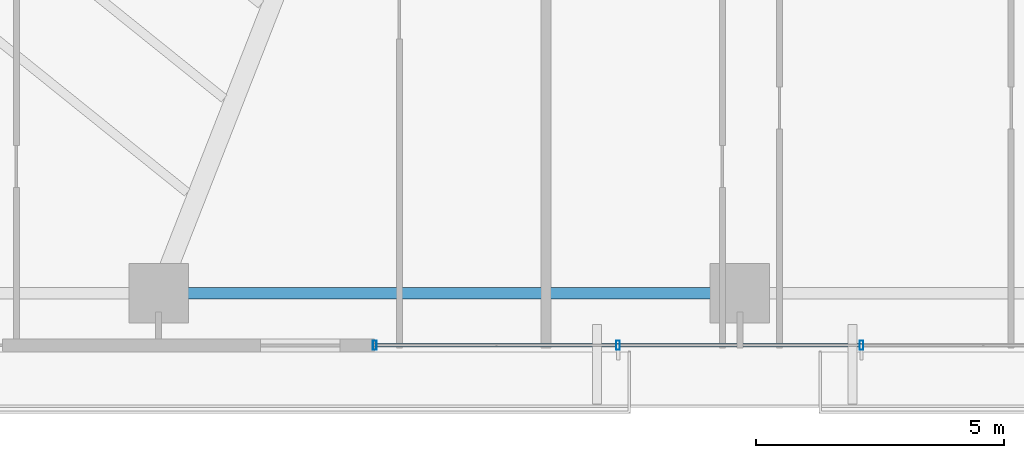
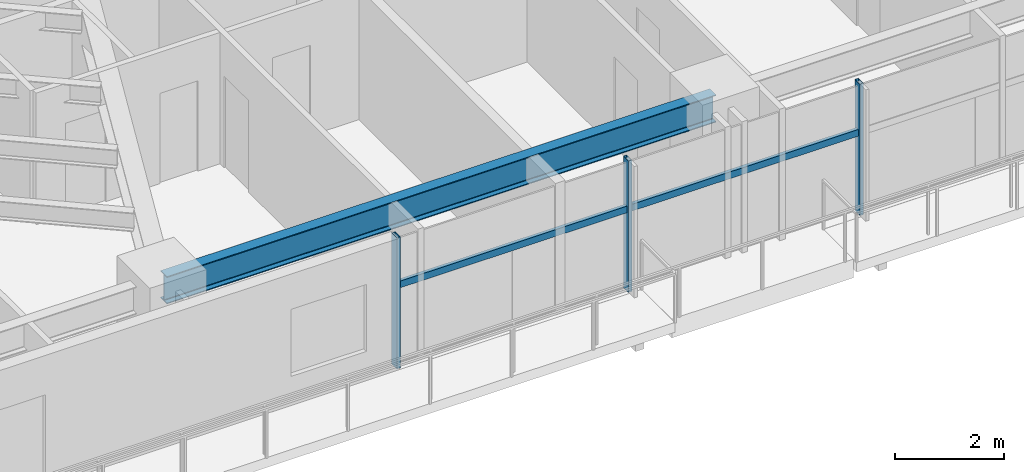
# One storey, part 6 of 26: 5 members, 1 beam, 1 element without a shape of its own.
"""IFC4 building model written with IfcOpenShell, lengths in metres."""

import ifcopenshell
import ifcopenshell.guid

model = None  # the IFC model being written
_history = None  # IfcOwnerHistory: only IFC2X3 demands one
_inside = {}  # id of a spatial element -> (the spatial element, [elements in it])
_under = {}  # id of a project, library or spatial element -> (it, [spatial elements below it])
_declared = {}  # id of a project -> (the project, [libraries it declares])
_typed = {}  # id of a type object -> (the type object, [elements of that type])
_made_of = {}  # id of a material, layer set ... -> (it, [elements and type objects made of it])


def new_model(schema):
    """Start an empty IFC model of exactly this schema.

    Asked for "IFC4X3", IfcOpenShell would pick the latest addendum, in which some entities
    have other attributes; the version numbers below select the first issue.
    IFC2X3 requires an IfcOwnerHistory on every rooted entity: one is made here for all.
    """
    global model, _history
    if schema == "IFC4X3":
        model = ifcopenshell.file(schema_version=(4, 3, 0, 0))
    else:
        model = ifcopenshell.file(schema=schema)
    _inside.clear()
    _under.clear()
    _declared.clear()
    _typed.clear()
    _made_of.clear()
    _history = None
    if model.schema == "IFC2X3":
        org = make("IfcOrganization", Name="unknown")
        user = make(
            "IfcPersonAndOrganization",
            ThePerson=make("IfcPerson", FamilyName="unknown"),
            TheOrganization=org,
        )
        app = make(
            "IfcApplication",
            ApplicationDeveloper=org,
            Version="unknown",
            ApplicationFullName="unknown",
            ApplicationIdentifier="unknown",
        )
        _history = make(
            "IfcOwnerHistory",
            OwningUser=user,
            OwningApplication=app,
            ChangeAction="ADDED",
            CreationDate=0,
        )
    return model


def make(cls, **values):
    """One entity of the class cls with the attributes given. An attribute that is None is left unset."""
    return model.create_entity(
        cls, **{name: value for name, value in values.items() if value is not None}
    )


def rooted(cls, **values):
    """An entity with a GlobalId (a new one), such as an element, a storey or a relation."""
    return make(cls, GlobalId=ifcopenshell.guid.new(), OwnerHistory=_history, **values)


def si_unit(unit_type, name, prefix=None):
    """IfcSIUnit, for example si_unit("LENGTHUNIT", "METRE", prefix="MILLI")."""
    return make("IfcSIUnit", UnitType=unit_type, Prefix=prefix, Name=name)


def assignment(units):
    """IfcUnitAssignment: the units of a project."""
    return None if units is None else make("IfcUnitAssignment", Units=units)


def point(xyz):
    """IfcCartesianPoint."""
    return None if xyz is None else make("IfcCartesianPoint", Coordinates=xyz)


def direction(xyz):
    """IfcDirection."""
    return None if xyz is None else make("IfcDirection", DirectionRatios=xyz)


def frame(location, z_axis=None, x_axis=None):
    """IfcAxis2Placement3D, a coordinate frame: its origin and axes. An axis left out is left unset."""
    return make(
        "IfcAxis2Placement3D",
        Location=point(location),
        Axis=direction(z_axis),
        RefDirection=direction(x_axis),
    )


def frame_2d(location, x_axis=None):
    """IfcAxis2Placement2D, a coordinate frame in the plane: its origin and x axis."""
    return make(
        "IfcAxis2Placement2D", Location=point(location), RefDirection=direction(x_axis)
    )


def origin():
    """The frame at (0, 0, 0) with its axes left unset."""
    return frame((0.0, 0.0, 0.0))


def origin_2d():
    """The frame at (0, 0) in the plane with its x axis left unset."""
    return frame_2d((0.0, 0.0))


def place(relative_to, where):
    """IfcLocalPlacement: puts the frame where relative to a parent placement (None: the world)."""
    return make(
        "IfcLocalPlacement", PlacementRelTo=relative_to, RelativePlacement=where
    )


def context(
    kind, dimensions, precision=None, world=None, true_north=None, identifier=None
):
    """IfcGeometricRepresentationContext, for example the 3D "Model" context."""
    return make(
        "IfcGeometricRepresentationContext",
        ContextIdentifier=identifier,
        ContextType=kind,
        CoordinateSpaceDimension=dimensions,
        Precision=precision,
        WorldCoordinateSystem=world,
        TrueNorth=true_north,
    )


def subcontext(parent, identifier, kind, view, scale=None):
    """IfcGeometricRepresentationSubContext, for example "Body" below "Model"."""
    return make(
        "IfcGeometricRepresentationSubContext",
        ContextIdentifier=identifier,
        ContextType=kind,
        ParentContext=parent,
        TargetScale=scale,
        TargetView=view,
    )


def project(units=None, contexts=None):
    """IfcProject with its units and contexts."""
    return rooted(
        "IfcProject",
        Name="project",
        RepresentationContexts=contexts,
        UnitsInContext=assignment(units),
    )


def spatial(cls, under=None, at=None, **own):
    """A site, building, storey or space (cls), placed at a placement, below another one or the project."""
    s = rooted(cls, ObjectPlacement=at, **own)
    if under is not None:
        _under.setdefault(under.id(), (under, []))[1].append(s)
    return s


def profile(cls, at=None, kind="AREA", **sizes):
    """A parametric profile (cls). Its sizes go by their IFC names, for example OverallWidth=200.0."""
    return make(cls, ProfileType=kind, Position=at, **sizes)


def hollow_rectangle(**sizes):
    """IfcRectangleHollowProfileDef."""
    return profile("IfcRectangleHollowProfileDef", **sizes)


def i_section(**sizes):
    """IfcIShapeProfileDef."""
    return profile("IfcIShapeProfileDef", **sizes)


def extrude(swept, where, along, depth):
    """IfcExtrudedAreaSolid: the profile swept, set in the frame where, extruded along a direction by depth."""
    return make(
        "IfcExtrudedAreaSolid",
        SweptArea=swept,
        Position=where,
        ExtrudedDirection=direction(along),
        Depth=depth,
    )


def shape(context_of_items, identifier, shape_type, items):
    """IfcShapeRepresentation: the items that make up one representation, for example the "Body"."""
    return make(
        "IfcShapeRepresentation",
        ContextOfItems=context_of_items,
        RepresentationIdentifier=identifier,
        RepresentationType=shape_type,
        Items=items,
    )


def source(mapping_origin, context_of_items, identifier, shape_type, items):
    """IfcRepresentationMap: a shape defined once, which mapped items show again and again."""
    return make(
        "IfcRepresentationMap",
        MappingOrigin=mapping_origin,
        MappedRepresentation=shape(context_of_items, identifier, shape_type, items),
    )


def transform(
    local_origin,
    x_axis=None,
    y_axis=None,
    z_axis=None,
    scale=None,
    scale2=None,
    scale3=None,
    uniform=True,
):
    """IfcCartesianTransformationOperator3D, or its non-uniform kind. x_axis, y_axis, z_axis: its Axis1, 2, 3."""
    if uniform:
        return make(
            "IfcCartesianTransformationOperator3D",
            Axis1=direction(x_axis),
            Axis2=direction(y_axis),
            LocalOrigin=point(local_origin),
            Scale=scale,
            Axis3=direction(z_axis),
        )
    return make(
        "IfcCartesianTransformationOperator3DnonUniform",
        Axis1=direction(x_axis),
        Axis2=direction(y_axis),
        LocalOrigin=point(local_origin),
        Scale=scale,
        Axis3=direction(z_axis),
        Scale2=scale2,
        Scale3=scale3,
    )


def mapped(mapping_source, mapping_target):
    """IfcMappedItem: shows the shape of a source again, moved by a transform."""
    return make(
        "IfcMappedItem", MappingSource=mapping_source, MappingTarget=mapping_target
    )


def material(Name=None, Category=None):
    """IfcMaterial."""
    return make("IfcMaterial", Name=Name, Category=Category)


def material_profile(
    of_material, cross_section, Name=None, Category=None, Priority=None
):
    """IfcMaterialProfile: a cross section and its material."""
    return make(
        "IfcMaterialProfile",
        Name=Name,
        Material=of_material,
        Profile=cross_section,
        Priority=Priority,
        Category=Category,
    )


def profile_set(profiles, Name=None, composite=None):
    """IfcMaterialProfileSet."""
    return make(
        "IfcMaterialProfileSet",
        Name=Name,
        MaterialProfiles=profiles,
        CompositeProfile=composite,
    )


def made_of(thing, what):
    """Note that an element or type object is made of a material, layer set ...; save() writes the relation."""
    if what is not None:
        _made_of.setdefault(what.id(), (what, []))[1].append(thing)
    return thing


def type_object(cls, material=None, **own):
    """A type object (cls), such as IfcWallType, which elements share."""
    return made_of(rooted(cls, **own), material)


def type_shapes(of_type, sources):
    """Give a type object the sources (RepresentationMaps) that its elements show as mapped items."""
    of_type.RepresentationMaps = sources


def element(
    cls,
    number,
    at=None,
    inside=None,
    cuts=None,
    type_object=None,
    material=None,
    context=None,
    identifier="Body",
    shape_type=None,
    held_by="IfcProductDefinitionShape",
    body=None,
    shapes=None,
    **own,
):
    """One element of the class cls, such as IfcWall. Its Tag is "e" and its number.

    at: its placement. inside: the storey or other place that contains it. cuts: it is an
    opening in that element (IfcRelVoidsElement). A single representation is given by context,
    identifier, shape_type and body (its items); several are given by shapes. held_by: the class
    of the entity that holds the representations. save() writes the other relations.
    """
    e = rooted(cls, Tag="e%d" % number, ObjectPlacement=at, **own)
    if body is not None:
        shapes = [shape(context, identifier, shape_type, body)]
    if shapes is not None:
        e.Representation = make(held_by, Representations=shapes)
    if inside is not None:
        _inside.setdefault(inside.id(), (inside, []))[1].append(e)
    if cuts is not None:
        rooted(
            "IfcRelVoidsElement", RelatingBuildingElement=cuts, RelatedOpeningElement=e
        )
    if type_object is not None:
        _typed.setdefault(type_object.id(), (type_object, []))[1].append(e)
    return made_of(e, material)


def aggregate(whole, parts):
    """IfcRelAggregates: a whole, such as a stair, and the parts it consists of."""
    return rooted("IfcRelAggregates", RelatingObject=whole, RelatedObjects=parts)


def save(model, path):
    """Write the relations noted so far, then the file.

    IfcRelAggregates (storeys below a building ...), IfcRelContainedInSpatialStructure (elements
    in a storey), IfcRelDefinesByType, IfcRelAssociatesMaterial and IfcRelDeclares: one each for
    every whole, place, type object, material and project.
    """
    for whole, parts in _under.values():
        aggregate(whole, parts)
    for where, things in _inside.values():
        rooted(
            "IfcRelContainedInSpatialStructure",
            RelatedElements=things,
            RelatingStructure=where,
        )
    for kind, things in _typed.values():
        rooted("IfcRelDefinesByType", RelatedObjects=things, RelatingType=kind)
    for what, things in _made_of.values():
        rooted("IfcRelAssociatesMaterial", RelatedObjects=things, RelatingMaterial=what)
    for by, libraries in _declared.values():
        rooted("IfcRelDeclares", RelatingContext=by, RelatedDefinitions=libraries)
    model.write(path)


model = new_model("IFC4")

# Units and contexts
model_context = context("Model", 3, precision=1e-05, world=origin(), true_north=direction((0.0, 1.0)))
body_context = subcontext(model_context, "Body", "Model", "MODEL_VIEW")
ifc_project = project(units=[si_unit("LENGTHUNIT", "METRE"), si_unit("AREAUNIT", "SQUARE_METRE"), si_unit("VOLUMEUNIT", "CUBIC_METRE"), si_unit("PLANEANGLEUNIT", "RADIAN"), si_unit("MASSUNIT", "GRAM", prefix="KILO")], contexts=[model_context])

# Site, building, storey
site_placement = place(None, origin())
site = spatial("IfcSite", under=ifc_project, at=site_placement, CompositionType="ELEMENT")
building_placement = place(site_placement, origin())
building = spatial("IfcBuilding", under=site, at=building_placement, Name="Astriad Promenade Condominiums", CompositionType="ELEMENT")
storey_placement = place(building_placement, frame((0.0, 0.0, 23.0)))
storey = spatial("IfcBuildingStorey", under=building, at=storey_placement, Name="L05", CompositionType="ELEMENT", Elevation=23.0)

# Beam
ifc_material_1 = material(Name="Steel ASTM A992 Grade 50", Category="steel")
ifc_material_profile_1 = material_profile(ifc_material_1, i_section(OverallWidth=0.22900390625, OverallDepth=0.612060546875, WebThickness=0.011962890625, FlangeThickness=0.01953125, FilletRadius=0.017822265625, at=origin_2d()), Name="W24X84")
ifc_profile_set_1 = profile_set([ifc_material_profile_1], Name="Steel ASTM A992 Grade 50")
beam_type = type_object("IfcBeamType", Name="STEEL SPANDREL BEAM W24X84", PredefinedType="SPANDREL", material=ifc_profile_set_1)
shared_shape_1 = source(origin(), body_context, "Body", "SweptSolid", [
    extrude(i_section(OverallWidth=0.22900390625, OverallDepth=0.612060546875, WebThickness=0.011962890625, FlangeThickness=0.01953125, FilletRadius=0.017822265625, at=origin_2d()), origin(), (0.0, 0.0, 1.0), 11.6201171875),
])
type_shapes(beam_type, [shared_shape_1])
beam_placement = place(storey_placement, frame((21.139892578125, 3.8798828125, 2.634033203125), z_axis=(1.0, 0.0, 0.0), x_axis=(0.0, 1.0, 0.0)))
element("IfcBeam", 1, at=beam_placement, inside=storey, type_object=beam_type, Name="Perimeter Spandrel Beam SP-S2-L05", PredefinedType="SPANDREL", context=body_context, shape_type="MappedRepresentation", body=[
    mapped(shared_shape_1, transform((0.0, 0.0, 0.0), scale=1.0)),
])

# Curtain wall, members
ifc_material_2 = material(Name="Anodised aluminium Black Dark Glass Unitised", Category="aluminium")
curtain_wall_type = type_object("IfcCurtainWallType", Name="CW-B1-DARK", PredefinedType="USERDEFINED", material=ifc_material_2)
curtain_wall_placement = place(storey_placement, origin())
curtain_wall = element("IfcCurtainWall", 2, at=curtain_wall_placement, inside=storey, type_object=curtain_wall_type, Name="CW-L05-S", ObjectType="UNITISED_CURTAIN_WALL", PredefinedType="USERDEFINED")
ifc_material_3 = material(Name="Anodised aluminium 6063-T6 Black", Category="aluminium")
ifc_material_profile_2 = material_profile(ifc_material_3, hollow_rectangle(XDim=0.074951171875, YDim=0.18505859375, WallThickness=0.00439453125, at=origin_2d()), Name="ALU-MUL-75X185")
ifc_profile_set_2 = profile_set([ifc_material_profile_2], Name="Anodised aluminium 6063-T6 Black")
member_type_1 = type_object("IfcMemberType", Name="MUL-ALU-MUL-75X185", PredefinedType="MULLION", material=ifc_profile_set_2)
shared_shape_2 = source(origin(), body_context, "Body", "SweptSolid", [
    extrude(hollow_rectangle(XDim=0.074951171875, YDim=0.18505859375, WallThickness=0.00439453125, at=origin_2d()), origin(), (0.0, 0.0, 1.0), 2.93994140625),
])
type_shapes(member_type_1, [shared_shape_2])
member_1_placement = place(storey_placement, frame((35.25, 2.830078125, 0.0), z_axis=(0.0, 0.0, 1.0), x_axis=(1.0, 0.0, 0.0)))
member_1 = element("IfcMember", 3, at=member_1_placement, type_object=member_type_1, Name="CW-L05-S-MUL-01", PredefinedType="MULLION", context=body_context, shape_type="MappedRepresentation", body=[
    mapped(shared_shape_2, transform((0.0, 0.0, 0.0), scale=1.0)),
])
member_2_placement = place(storey_placement, frame((30.35009765625, 2.830078125, 0.0), z_axis=(0.0, 0.0, 1.0), x_axis=(1.0, 0.0, 0.0)))
member_2 = element("IfcMember", 4, at=member_2_placement, type_object=member_type_1, Name="CW-L05-S-MUL-02", PredefinedType="MULLION", context=body_context, shape_type="MappedRepresentation", body=[
    mapped(shared_shape_2, transform((0.0, 0.0, 0.0), scale=1.0)),
])
member_3_placement = place(storey_placement, frame((25.449951171875, 2.830078125, 0.0), z_axis=(0.0, 0.0, 1.0), x_axis=(1.0, 0.0, 0.0)))
member_3 = element("IfcMember", 5, at=member_3_placement, type_object=member_type_1, Name="CW-L05-S-MUL-03", PredefinedType="MULLION", context=body_context, shape_type="MappedRepresentation", body=[
    mapped(shared_shape_2, transform((0.0, 0.0, 0.0), scale=1.0)),
])
ifc_material_profile_3 = material_profile(ifc_material_3, hollow_rectangle(XDim=0.074951171875, YDim=0.14990234375, WallThickness=0.004150390625, at=origin_2d()), Name="ALU-TRN-75X150")
ifc_profile_set_3 = profile_set([ifc_material_profile_3], Name="Anodised aluminium 6063-T6 Black")
member_type_2 = type_object("IfcMemberType", Name="TRN-ALU-TRN-75X150", PredefinedType="USERDEFINED", material=ifc_profile_set_3)
shared_shape_3 = source(origin(), body_context, "Body", "SweptSolid", [
    extrude(hollow_rectangle(XDim=0.074951171875, YDim=0.14990234375, WallThickness=0.004150390625, at=origin_2d()), origin(), (0.0, 0.0, 1.0), 4.900146484375),
])
member_4_placement = place(storey_placement, frame((30.35009765625, 2.830078125, 1.82275390625), z_axis=(-1.0, 0.0, 0.0), x_axis=(0.0, -1.0, 0.0)))
member_4 = element("IfcMember", 6, at=member_4_placement, type_object=member_type_2, Name="CW-L05-S-TRN-02-0", ObjectType="TRANSOM", PredefinedType="USERDEFINED", context=body_context, shape_type="MappedRepresentation", body=[
    mapped(shared_shape_3, transform((0.0, 0.0, 0.0), scale=1.0)),
])
shared_shape_4 = source(origin(), body_context, "Body", "SweptSolid", [
    extrude(hollow_rectangle(XDim=0.074951171875, YDim=0.14990234375, WallThickness=0.004150390625, at=origin_2d()), origin(), (0.0, 0.0, 1.0), 4.89990234375),
])
type_shapes(member_type_2, [shared_shape_3, shared_shape_4])
member_5_placement = place(storey_placement, frame((35.25, 2.830078125, 1.82275390625), z_axis=(-1.0, 0.0, 0.0), x_axis=(0.0, -1.0, 0.0)))
member_5 = element("IfcMember", 7, at=member_5_placement, type_object=member_type_2, Name="CW-L05-S-TRN-01-0", ObjectType="TRANSOM", PredefinedType="USERDEFINED", context=body_context, shape_type="MappedRepresentation", body=[
    mapped(shared_shape_4, transform((0.0, 0.0, 0.0), scale=1.0)),
])
aggregate(curtain_wall, [member_1, member_2, member_3, member_5, member_4])

save(model, "model.ifc")
